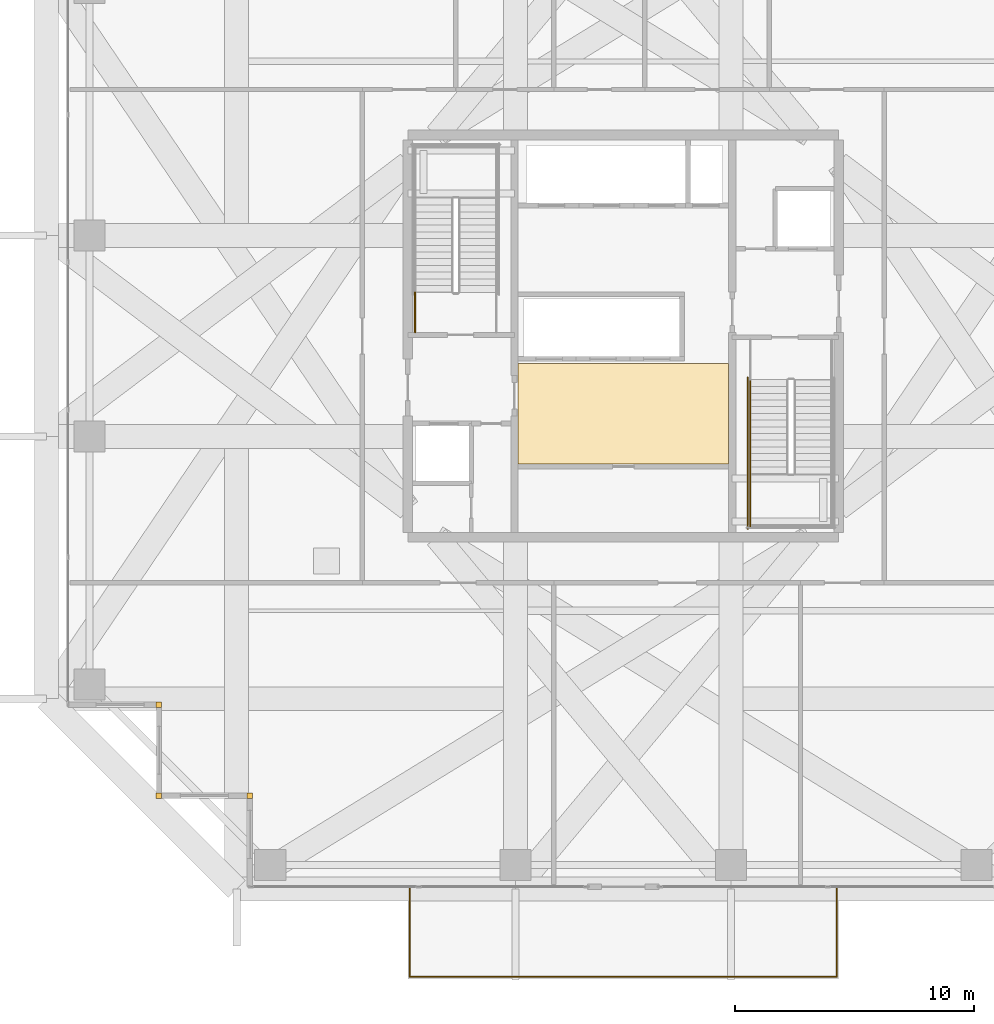
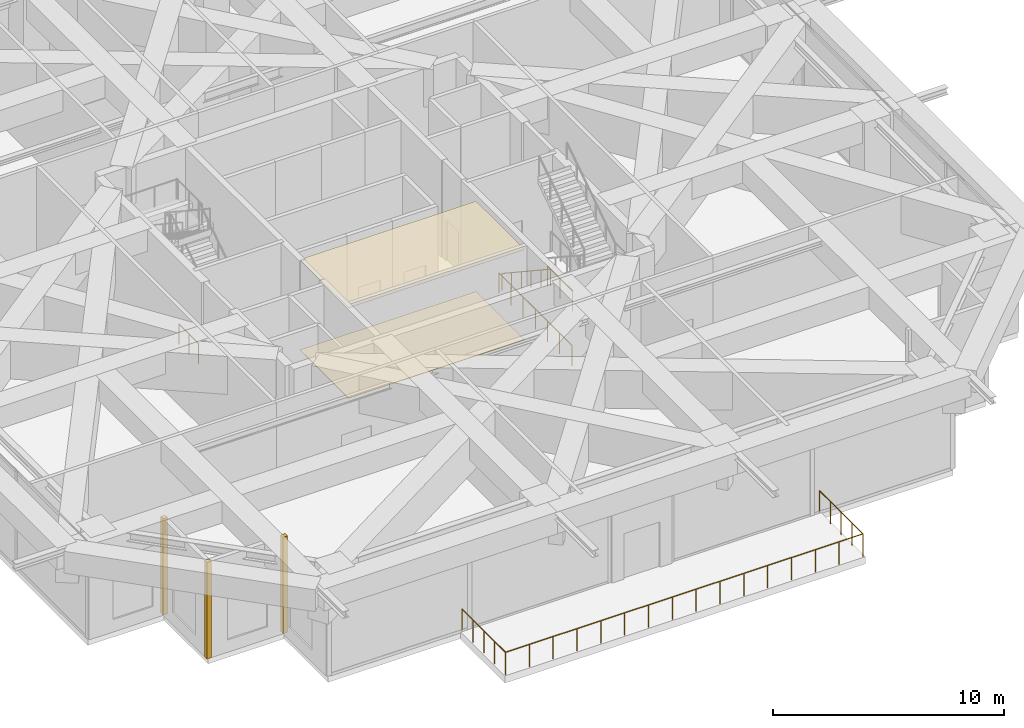
# One storey, part 36 of 38: 5 coverings, 5 railings.
"""IFC4 building model written with IfcOpenShell, lengths in metres."""

import ifcopenshell
import ifcopenshell.guid

model = None  # the IFC model being written
_history = None  # IfcOwnerHistory: only IFC2X3 demands one
_inside = {}  # id of a spatial element -> (the spatial element, [elements in it])
_under = {}  # id of a project, library or spatial element -> (it, [spatial elements below it])
_declared = {}  # id of a project -> (the project, [libraries it declares])
_typed = {}  # id of a type object -> (the type object, [elements of that type])
_made_of = {}  # id of a material, layer set ... -> (it, [elements and type objects made of it])


def new_model(schema):
    """Start an empty IFC model of exactly this schema.

    Asked for "IFC4X3", IfcOpenShell would pick the latest addendum, in which some entities
    have other attributes; the version numbers below select the first issue.
    IFC2X3 requires an IfcOwnerHistory on every rooted entity: one is made here for all.
    """
    global model, _history
    if schema == "IFC4X3":
        model = ifcopenshell.file(schema_version=(4, 3, 0, 0))
    else:
        model = ifcopenshell.file(schema=schema)
    _inside.clear()
    _under.clear()
    _declared.clear()
    _typed.clear()
    _made_of.clear()
    _history = None
    if model.schema == "IFC2X3":
        org = make("IfcOrganization", Name="unknown")
        user = make(
            "IfcPersonAndOrganization",
            ThePerson=make("IfcPerson", FamilyName="unknown"),
            TheOrganization=org,
        )
        app = make(
            "IfcApplication",
            ApplicationDeveloper=org,
            Version="unknown",
            ApplicationFullName="unknown",
            ApplicationIdentifier="unknown",
        )
        _history = make(
            "IfcOwnerHistory",
            OwningUser=user,
            OwningApplication=app,
            ChangeAction="ADDED",
            CreationDate=0,
        )
    return model


def make(cls, **values):
    """One entity of the class cls with the attributes given. An attribute that is None is left unset."""
    return model.create_entity(
        cls, **{name: value for name, value in values.items() if value is not None}
    )


def rooted(cls, **values):
    """An entity with a GlobalId (a new one), such as an element, a storey or a relation."""
    return make(cls, GlobalId=ifcopenshell.guid.new(), OwnerHistory=_history, **values)


def si_unit(unit_type, name, prefix=None):
    """IfcSIUnit, for example si_unit("LENGTHUNIT", "METRE", prefix="MILLI")."""
    return make("IfcSIUnit", UnitType=unit_type, Prefix=prefix, Name=name)


def assignment(units):
    """IfcUnitAssignment: the units of a project."""
    return None if units is None else make("IfcUnitAssignment", Units=units)


def point(xyz):
    """IfcCartesianPoint."""
    return None if xyz is None else make("IfcCartesianPoint", Coordinates=xyz)


def direction(xyz):
    """IfcDirection."""
    return None if xyz is None else make("IfcDirection", DirectionRatios=xyz)


def frame(location, z_axis=None, x_axis=None):
    """IfcAxis2Placement3D, a coordinate frame: its origin and axes. An axis left out is left unset."""
    return make(
        "IfcAxis2Placement3D",
        Location=point(location),
        Axis=direction(z_axis),
        RefDirection=direction(x_axis),
    )


def frame_2d(location, x_axis=None):
    """IfcAxis2Placement2D, a coordinate frame in the plane: its origin and x axis."""
    return make(
        "IfcAxis2Placement2D", Location=point(location), RefDirection=direction(x_axis)
    )


def origin():
    """The frame at (0, 0, 0) with its axes left unset."""
    return frame((0.0, 0.0, 0.0))


def origin_2d():
    """The frame at (0, 0) in the plane with its x axis left unset."""
    return frame_2d((0.0, 0.0))


def place(relative_to, where):
    """IfcLocalPlacement: puts the frame where relative to a parent placement (None: the world)."""
    return make(
        "IfcLocalPlacement", PlacementRelTo=relative_to, RelativePlacement=where
    )


def context(
    kind, dimensions, precision=None, world=None, true_north=None, identifier=None
):
    """IfcGeometricRepresentationContext, for example the 3D "Model" context."""
    return make(
        "IfcGeometricRepresentationContext",
        ContextIdentifier=identifier,
        ContextType=kind,
        CoordinateSpaceDimension=dimensions,
        Precision=precision,
        WorldCoordinateSystem=world,
        TrueNorth=true_north,
    )


def subcontext(parent, identifier, kind, view, scale=None):
    """IfcGeometricRepresentationSubContext, for example "Body" below "Model"."""
    return make(
        "IfcGeometricRepresentationSubContext",
        ContextIdentifier=identifier,
        ContextType=kind,
        ParentContext=parent,
        TargetScale=scale,
        TargetView=view,
    )


def project(units=None, contexts=None):
    """IfcProject with its units and contexts."""
    return rooted(
        "IfcProject",
        Name="project",
        RepresentationContexts=contexts,
        UnitsInContext=assignment(units),
    )


def spatial(cls, under=None, at=None, **own):
    """A site, building, storey or space (cls), placed at a placement, below another one or the project."""
    s = rooted(cls, ObjectPlacement=at, **own)
    if under is not None:
        _under.setdefault(under.id(), (under, []))[1].append(s)
    return s


def polyline(points):
    """IfcPolyline through the points."""
    return make("IfcPolyline", Points=[point(p) for p in points])


def profile(cls, at=None, kind="AREA", **sizes):
    """A parametric profile (cls). Its sizes go by their IFC names, for example OverallWidth=200.0."""
    return make(cls, ProfileType=kind, Position=at, **sizes)


def rectangle(**sizes):
    """IfcRectangleProfileDef."""
    return profile("IfcRectangleProfileDef", **sizes)


def circle(**sizes):
    """IfcCircleProfileDef."""
    return profile("IfcCircleProfileDef", **sizes)


def outline(outer, holes=None, kind="AREA"):
    """IfcArbitraryClosedProfileDef: a profile drawn as a closed curve; with holes, ...WithVoids."""
    if holes is None:
        return make("IfcArbitraryClosedProfileDef", ProfileType=kind, OuterCurve=outer)
    return make(
        "IfcArbitraryProfileDefWithVoids",
        ProfileType=kind,
        OuterCurve=outer,
        InnerCurves=holes,
    )


def extrude(swept, where, along, depth):
    """IfcExtrudedAreaSolid: the profile swept, set in the frame where, extruded along a direction by depth."""
    return make(
        "IfcExtrudedAreaSolid",
        SweptArea=swept,
        Position=where,
        ExtrudedDirection=direction(along),
        Depth=depth,
    )


def shape(context_of_items, identifier, shape_type, items):
    """IfcShapeRepresentation: the items that make up one representation, for example the "Body"."""
    return make(
        "IfcShapeRepresentation",
        ContextOfItems=context_of_items,
        RepresentationIdentifier=identifier,
        RepresentationType=shape_type,
        Items=items,
    )


def source(mapping_origin, context_of_items, identifier, shape_type, items):
    """IfcRepresentationMap: a shape defined once, which mapped items show again and again."""
    return make(
        "IfcRepresentationMap",
        MappingOrigin=mapping_origin,
        MappedRepresentation=shape(context_of_items, identifier, shape_type, items),
    )


def transform(
    local_origin,
    x_axis=None,
    y_axis=None,
    z_axis=None,
    scale=None,
    scale2=None,
    scale3=None,
    uniform=True,
):
    """IfcCartesianTransformationOperator3D, or its non-uniform kind. x_axis, y_axis, z_axis: its Axis1, 2, 3."""
    if uniform:
        return make(
            "IfcCartesianTransformationOperator3D",
            Axis1=direction(x_axis),
            Axis2=direction(y_axis),
            LocalOrigin=point(local_origin),
            Scale=scale,
            Axis3=direction(z_axis),
        )
    return make(
        "IfcCartesianTransformationOperator3DnonUniform",
        Axis1=direction(x_axis),
        Axis2=direction(y_axis),
        LocalOrigin=point(local_origin),
        Scale=scale,
        Axis3=direction(z_axis),
        Scale2=scale2,
        Scale3=scale3,
    )


def mapped(mapping_source, mapping_target):
    """IfcMappedItem: shows the shape of a source again, moved by a transform."""
    return make(
        "IfcMappedItem", MappingSource=mapping_source, MappingTarget=mapping_target
    )


def material(Name=None, Category=None):
    """IfcMaterial."""
    return make("IfcMaterial", Name=Name, Category=Category)


def layer(
    of_material, thickness, ventilated=None, Name=None, Category=None, Priority=None
):
    """IfcMaterialLayer: one layer of a wall or slab, of a material (None: an air gap)."""
    return make(
        "IfcMaterialLayer",
        Material=of_material,
        LayerThickness=thickness,
        IsVentilated=ventilated,
        Name=Name,
        Category=Category,
        Priority=Priority,
    )


def layer_set(layers, Name=None):
    """IfcMaterialLayerSet."""
    return make("IfcMaterialLayerSet", MaterialLayers=layers, LayerSetName=Name)


def made_of(thing, what):
    """Note that an element or type object is made of a material, layer set ...; save() writes the relation."""
    if what is not None:
        _made_of.setdefault(what.id(), (what, []))[1].append(thing)
    return thing


def type_object(cls, material=None, **own):
    """A type object (cls), such as IfcWallType, which elements share."""
    return made_of(rooted(cls, **own), material)


def element(
    cls,
    number,
    at=None,
    inside=None,
    cuts=None,
    type_object=None,
    material=None,
    context=None,
    identifier="Body",
    shape_type=None,
    held_by="IfcProductDefinitionShape",
    body=None,
    shapes=None,
    **own,
):
    """One element of the class cls, such as IfcWall. Its Tag is "e" and its number.

    at: its placement. inside: the storey or other place that contains it. cuts: it is an
    opening in that element (IfcRelVoidsElement). A single representation is given by context,
    identifier, shape_type and body (its items); several are given by shapes. held_by: the class
    of the entity that holds the representations. save() writes the other relations.
    """
    e = rooted(cls, Tag="e%d" % number, ObjectPlacement=at, **own)
    if body is not None:
        shapes = [shape(context, identifier, shape_type, body)]
    if shapes is not None:
        e.Representation = make(held_by, Representations=shapes)
    if inside is not None:
        _inside.setdefault(inside.id(), (inside, []))[1].append(e)
    if cuts is not None:
        rooted(
            "IfcRelVoidsElement", RelatingBuildingElement=cuts, RelatedOpeningElement=e
        )
    if type_object is not None:
        _typed.setdefault(type_object.id(), (type_object, []))[1].append(e)
    return made_of(e, material)


def aggregate(whole, parts):
    """IfcRelAggregates: a whole, such as a stair, and the parts it consists of."""
    return rooted("IfcRelAggregates", RelatingObject=whole, RelatedObjects=parts)


def save(model, path):
    """Write the relations noted so far, then the file.

    IfcRelAggregates (storeys below a building ...), IfcRelContainedInSpatialStructure (elements
    in a storey), IfcRelDefinesByType, IfcRelAssociatesMaterial and IfcRelDeclares: one each for
    every whole, place, type object, material and project.
    """
    for whole, parts in _under.values():
        aggregate(whole, parts)
    for where, things in _inside.values():
        rooted(
            "IfcRelContainedInSpatialStructure",
            RelatedElements=things,
            RelatingStructure=where,
        )
    for kind, things in _typed.values():
        rooted("IfcRelDefinesByType", RelatedObjects=things, RelatingType=kind)
    for what, things in _made_of.values():
        rooted("IfcRelAssociatesMaterial", RelatedObjects=things, RelatingMaterial=what)
    for by, libraries in _declared.values():
        rooted("IfcRelDeclares", RelatingContext=by, RelatedDefinitions=libraries)
    model.write(path)


model = new_model("IFC4")

# Units and contexts
model_context = context("Model", 3, precision=1e-05, world=origin(), true_north=direction((0.0, 1.0)))
body_context = subcontext(model_context, "Body", "Model", "MODEL_VIEW")
ifc_project = project(units=[si_unit("LENGTHUNIT", "METRE"), si_unit("AREAUNIT", "SQUARE_METRE"), si_unit("VOLUMEUNIT", "CUBIC_METRE"), si_unit("PLANEANGLEUNIT", "RADIAN"), si_unit("MASSUNIT", "GRAM", prefix="KILO")], contexts=[model_context])

# Site, building, storey
site_placement = place(None, origin())
site = spatial("IfcSite", under=ifc_project, at=site_placement, CompositionType="ELEMENT")
building_placement = place(site_placement, origin())
building = spatial("IfcBuilding", under=site, at=building_placement, Name="Serunith Strait Residences", CompositionType="ELEMENT")
storey_placement = place(building_placement, frame((0.0, 0.0, 204.89990234375)))
storey = spatial("IfcBuildingStorey", under=building, at=storey_placement, Name="L51", CompositionType="ELEMENT", Elevation=204.89990234375)

# Coverings
ifc_material_1 = material(Name="Perforated acoustic gypsum ceiling tile")
ifc_layer_1 = layer(ifc_material_1, 0.02490234375, Name="Perforated acoustic gypsum ceiling tile")
ifc_layer_set_1 = layer_set([ifc_layer_1], Name="Perforated acoustic gypsum ceiling tile")
covering_type_1 = type_object("IfcCoveringType", Name="COV-CEIL-AC60", PredefinedType="CEILING", material=ifc_layer_set_1)
covering_1_placement = place(storey_placement, frame((0.0, 0.0, 4.760009765625)))
element("IfcCovering", 1, at=covering_1_placement, inside=storey, type_object=covering_type_1, Name="L51 Lift Lobby Acoustic Ceiling", PredefinedType="CEILING", context=body_context, shape_type="SweptSolid", body=[
    extrude(outline(polyline([(28.0, 19.85009765625), (36.800048828125, 19.85009765625), (36.800048828125, 24.050048828125), (28.0, 24.050048828125), (28.0, 19.85009765625)])), origin(), (0.0, 0.0, 1.0), 0.025146484375),
])
ifc_material_2 = material(Name="Honed limestone terrazzo flooring", Category="masonry")
ifc_layer_2 = layer(ifc_material_2, 0.02001953125, Name="Honed limestone terrazzo flooring")
ifc_layer_set_2 = layer_set([ifc_layer_2], Name="Honed limestone terrazzo flooring")
covering_type_2 = type_object("IfcCoveringType", Name="COV-FLOOR-TER40", PredefinedType="FLOORING", material=ifc_layer_set_2)
covering_2_placement = place(storey_placement, origin())
element("IfcCovering", 2, at=covering_2_placement, inside=storey, type_object=covering_type_2, Name="L51 Lift Lobby Terrazzo Flooring", PredefinedType="FLOORING", context=body_context, shape_type="SweptSolid", body=[
    extrude(outline(polyline([(28.0, 19.85009765625), (36.800048828125, 19.85009765625), (36.800048828125, 24.050048828125), (28.0, 24.050048828125), (28.0, 19.85009765625)])), origin(), (0.0, 0.0, 1.0), 0.02001953125),
])

# Railings
ifc_material_3 = material(Name="Marine Stainless & Structural Acrylic Pool Guard")
railing_type_1 = type_object("IfcRailingType", Name="RLG-POOL-1200", PredefinedType="BALUSTRADE", material=ifc_material_3)
railing_1_placement = place(storey_placement, frame((23.47998046875, 2.195068359375, 0.0)))
element("IfcRailing", 3, at=railing_1_placement, inside=storey, type_object=railing_type_1, Name="L51 Cantilevered Strait Sky-Pool Acrylic Perimeter Guard", PredefinedType="BALUSTRADE", context=body_context, shape_type="SweptSolid", body=[
    extrude(circle(Radius=0.02392578125, at=origin_2d()), frame((0.0, -0.001953125, 1.17578125), z_axis=(0.0, -1.0, 0.0), x_axis=(1.0, 0.0, 0.0)), (0.0, 0.0, 1.0), 3.76123046875),
    extrude(circle(Radius=0.02392578125, at=origin_2d()), frame((0.001953125, -3.76513671875, 1.17578125), z_axis=(1.0, 0.0, 0.0), x_axis=(0.0, 1.0, 0.0)), (0.0, 0.0, 1.0), 17.836181640625),
    extrude(circle(Radius=0.02392578125, at=origin_2d()), frame((17.840087890625, -3.76318359375, 1.17578125), z_axis=(0.0, 1.0, 0.0), x_axis=(-1.0, 0.0, 0.0)), (0.0, 0.0, 1.0), 3.76123046875),
    extrude(circle(Radius=0.02099609375, at=origin_2d()), origin(), (0.0, 0.0, 1.0), 1.14990234375),
    extrude(circle(Radius=0.02099609375, at=origin_2d()), frame((0.0, -0.94140625, 0.0)), (0.0, 0.0, 1.0), 1.14990234375),
    extrude(circle(Radius=0.02099609375, at=origin_2d()), frame((0.0, -1.882568359375, 0.0)), (0.0, 0.0, 1.0), 1.14990234375),
    extrude(circle(Radius=0.02099609375, at=origin_2d()), frame((0.0, -2.82373046875, 0.0)), (0.0, 0.0, 1.0), 1.14990234375),
    extrude(circle(Radius=0.02099609375, at=origin_2d()), frame((0.0, -3.76513671875, 0.0)), (0.0, 0.0, 1.0), 1.14990234375),
    extrude(circle(Radius=0.02099609375, at=origin_2d()), frame((1.189453125, -3.76513671875, 0.0)), (0.0, 0.0, 1.0), 1.14990234375),
    extrude(circle(Radius=0.02099609375, at=origin_2d()), frame((2.378662109375, -3.76513671875, 0.0)), (0.0, 0.0, 1.0), 1.14990234375),
    extrude(circle(Radius=0.02099609375, at=origin_2d()), frame((3.568115234375, -3.76513671875, 0.0)), (0.0, 0.0, 1.0), 1.14990234375),
    extrude(circle(Radius=0.02099609375, at=origin_2d()), frame((4.75732421875, -3.76513671875, 0.0)), (0.0, 0.0, 1.0), 1.14990234375),
    extrude(circle(Radius=0.02099609375, at=origin_2d()), frame((5.94677734375, -3.76513671875, 0.0)), (0.0, 0.0, 1.0), 1.14990234375),
    extrude(circle(Radius=0.02099609375, at=origin_2d()), frame((7.135986328125, -3.76513671875, 0.0)), (0.0, 0.0, 1.0), 1.14990234375),
    extrude(circle(Radius=0.02099609375, at=origin_2d()), frame((8.325439453125, -3.76513671875, 0.0)), (0.0, 0.0, 1.0), 1.14990234375),
    extrude(circle(Radius=0.02099609375, at=origin_2d()), frame((9.5146484375, -3.76513671875, 0.0)), (0.0, 0.0, 1.0), 1.14990234375),
    extrude(circle(Radius=0.02099609375, at=origin_2d()), frame((10.7041015625, -3.76513671875, 0.0)), (0.0, 0.0, 1.0), 1.14990234375),
    extrude(circle(Radius=0.02099609375, at=origin_2d()), frame((11.893310546875, -3.76513671875, 0.0)), (0.0, 0.0, 1.0), 1.14990234375),
    extrude(circle(Radius=0.02099609375, at=origin_2d()), frame((13.082763671875, -3.76513671875, 0.0)), (0.0, 0.0, 1.0), 1.14990234375),
    extrude(circle(Radius=0.02099609375, at=origin_2d()), frame((14.27197265625, -3.76513671875, 0.0)), (0.0, 0.0, 1.0), 1.14990234375),
    extrude(circle(Radius=0.02099609375, at=origin_2d()), frame((15.46142578125, -3.76513671875, 0.0)), (0.0, 0.0, 1.0), 1.14990234375),
    extrude(circle(Radius=0.02099609375, at=origin_2d()), frame((16.650634765625, -3.76513671875, 0.0)), (0.0, 0.0, 1.0), 1.14990234375),
    extrude(circle(Radius=0.02099609375, at=origin_2d()), frame((17.840087890625, -3.76513671875, 0.0)), (0.0, 0.0, 1.0), 1.14990234375),
    extrude(circle(Radius=0.02099609375, at=origin_2d()), frame((17.840087890625, -2.82373046875, 0.0)), (0.0, 0.0, 1.0), 1.14990234375),
    extrude(circle(Radius=0.02099609375, at=origin_2d()), frame((17.840087890625, -1.882568359375, 0.0)), (0.0, 0.0, 1.0), 1.14990234375),
    extrude(circle(Radius=0.02099609375, at=origin_2d()), frame((17.840087890625, -0.94140625, 0.0)), (0.0, 0.0, 1.0), 1.14990234375),
    extrude(circle(Radius=0.02099609375, at=origin_2d()), frame((17.840087890625, 0.0, 0.0)), (0.0, 0.0, 1.0), 1.14990234375),
])
ifc_material_4 = material(Name="Brushed stainless steel 316L", Category="steel")
railing_type_2 = type_object("IfcRailingType", Name="RLG-STAIR-GUARD", PredefinedType="BALUSTRADE", material=ifc_material_4)
railing_2_placement = place(storey_placement, frame((23.699951171875, 25.35009765625, 0.0)))
element("IfcRailing", 4, at=railing_2_placement, inside=storey, type_object=railing_type_2, Name="L51 ST-1 stair guard 9", PredefinedType="BALUSTRADE", context=body_context, shape_type="SweptSolid", body=[
    extrude(circle(Radius=0.02392578125, at=origin_2d()), frame((0.0, 0.001953125, 1.076171875), z_axis=(0.0, 1.0, 0.0), x_axis=(-1.0, 0.0, 0.0)), (0.0, 0.0, 1.0), 1.676025390625),
    extrude(circle(Radius=0.02099609375, at=origin_2d()), origin(), (0.0, 0.0, 1.0), 1.050048828125),
    extrude(circle(Radius=0.02099609375, at=origin_2d()), frame((0.0, 0.83984375, 0.0)), (0.0, 0.0, 1.0), 1.050048828125),
    extrude(circle(Radius=0.02099609375, at=origin_2d()), frame((0.0, 1.679931640625, 0.0)), (0.0, 0.0, 1.0), 1.050048828125),
])
railing_3_placement = place(storey_placement, frame((37.699951171875, 19.449951171875, 2.775146484375)))
element("IfcRailing", 5, at=railing_3_placement, inside=storey, type_object=railing_type_2, Name="L51 ST-2 stair guard 3", PredefinedType="BALUSTRADE", context=body_context, shape_type="SweptSolid", body=[
    extrude(circle(Radius=0.02392578125, at=origin_2d()), frame((0.0, -0.001953125, 1.076171875), z_axis=(0.0, -1.0, 0.0), x_axis=(1.0, 0.0, 0.0)), (0.0, 0.0, 1.0), 2.196044921875),
    extrude(circle(Radius=0.02099609375, at=origin_2d()), origin(), (0.0, 0.0, 1.0), 1.050048828125),
    extrude(circle(Radius=0.02099609375, at=origin_2d()), frame((0.0, -1.10009765625, 0.0)), (0.0, 0.0, 1.0), 1.050048828125),
    extrude(circle(Radius=0.02099609375, at=origin_2d()), frame((0.0, -2.199951171875, 0.0)), (0.0, 0.0, 1.0), 1.050048828125),
])
railing_4_placement = place(storey_placement, frame((37.60009765625, 23.469970703125, 0.0)))
element("IfcRailing", 6, at=railing_4_placement, inside=storey, type_object=railing_type_2, Name="L51 ST-2 stair guard 10", PredefinedType="BALUSTRADE", context=body_context, shape_type="SweptSolid", body=[
    extrude(circle(Radius=0.02392578125, at=origin_2d()), frame((0.0, -0.001953125, 1.076171875), z_axis=(0.0, -1.0, 0.0), x_axis=(1.0, 0.0, 0.0)), (0.0, 0.0, 1.0), 6.316162109375),
    extrude(circle(Radius=0.02099609375, at=origin_2d()), origin(), (0.0, 0.0, 1.0), 1.050048828125),
    extrude(circle(Radius=0.02099609375, at=origin_2d()), frame((0.0, -1.05322265625, 0.0)), (0.0, 0.0, 1.0), 1.050048828125),
    extrude(circle(Radius=0.02099609375, at=origin_2d()), frame((0.0, -2.106689453125, 0.0)), (0.0, 0.0, 1.0), 1.050048828125),
    extrude(circle(Radius=0.02099609375, at=origin_2d()), frame((0.0, -3.16015625, 0.0)), (0.0, 0.0, 1.0), 1.050048828125),
    extrude(circle(Radius=0.02099609375, at=origin_2d()), frame((0.0, -4.21337890625, 0.0)), (0.0, 0.0, 1.0), 1.050048828125),
    extrude(circle(Radius=0.02099609375, at=origin_2d()), frame((0.0, -5.2666015625, 0.0)), (0.0, 0.0, 1.0), 1.050048828125),
    extrude(circle(Radius=0.02099609375, at=origin_2d()), frame((0.0, -6.320068359375, 0.0)), (0.0, 0.0, 1.0), 1.050048828125),
])
railing_type_3 = type_object("IfcRailingType", Name="RLG-STAIR-HR", PredefinedType="HANDRAIL", material=ifc_material_4)
railing_5_placement = place(storey_placement, frame((37.699951171875, 23.3701171875, 0.18505859375)))
element("IfcRailing", 7, at=railing_5_placement, inside=storey, type_object=railing_type_3, Name="L51 ST-2 stair handrail 1", PredefinedType="HANDRAIL", context=body_context, shape_type="SweptSolid", body=[
    extrude(circle(Radius=0.02392578125, at=origin_2d()), frame((0.0, -0.001708984375, 0.876953125), z_axis=(0.0, -0.833887588796, 0.551934316067), x_axis=(1.0, 0.0, 0.0)), (0.0, 0.0, 1.0), 5.032958984375),
    extrude(circle(Radius=0.02099609375, at=origin_2d()), origin(), (0.0, 0.0, 1.0), 0.849853515625),
    extrude(circle(Radius=0.02099609375, at=origin_2d()), frame((0.0, -0.840087890625, 0.555908203125)), (0.0, 0.0, 1.0), 0.849853515625),
    extrude(circle(Radius=0.02099609375, at=origin_2d()), frame((0.0, -1.68017578125, 1.112060546875)), (0.0, 0.0, 1.0), 0.849853515625),
    extrude(circle(Radius=0.02099609375, at=origin_2d()), frame((0.0, -2.52001953125, 1.66796875)), (0.0, 0.0, 1.0), 0.849853515625),
    extrude(circle(Radius=0.02099609375, at=origin_2d()), frame((0.0, -3.360107421875, 2.22412109375)), (0.0, 0.0, 1.0), 0.849853515625),
    extrude(circle(Radius=0.02099609375, at=origin_2d()), frame((0.0, -4.2001953125, 2.780029296875)), (0.0, 0.0, 1.0), 0.849853515625),
])

# Coverings
ifc_material_5 = material(Name="Pale-Champagne Anodised Aluminium", Category="aluminium")
ifc_layer_3 = layer(ifc_material_5, 0.219970703125, Name="Pale-Champagne Anodised Aluminium")
ifc_layer_set_3 = layer_set([ifc_layer_3], Name="Pale-Champagne Anodised Aluminium")
covering_type_3 = type_object("IfcCoveringType", Name="COV-CORN-TRIM", PredefinedType="CLADDING", material=ifc_layer_set_3)
shared_shape = source(origin(), body_context, "Body", "SweptSolid", [
    extrude(rectangle(XDim=0.221923828125, YDim=0.221923828125, at=origin_2d()), origin(), (0.0, 0.0, 1.0), 5.094970703125),
])
for number, where, z_axis, x_axis, name in (
    (8, (13.0, 9.800048828125, 0.0), (0.0, 0.0, 1.0), (1.0, 0.0, 0.0), "L51 Girih Serrated Corner Trim Post 17"),
    (9, (13.0, 6.0, 0.0), (0.0, 0.0, 1.0), (1.0, 0.0, 0.0), "L51 Girih Serrated Corner Trim Post 18"),
    (10, (16.800048828125, 6.0, 0.0), (0.0, 0.0, 1.0), (1.0, 0.0, 0.0), "L51 Girih Serrated Corner Trim Post 19"),
):
    element("IfcCovering", number, at=place(storey_placement, frame(where, z_axis=z_axis, x_axis=x_axis)), inside=storey, type_object=covering_type_3, Name=name, PredefinedType="CLADDING", context=body_context, shape_type="MappedRepresentation", body=[
        mapped(shared_shape, transform((0.0, 0.0, 0.0), scale=1.0)),
    ])

save(model, "model.ifc")
